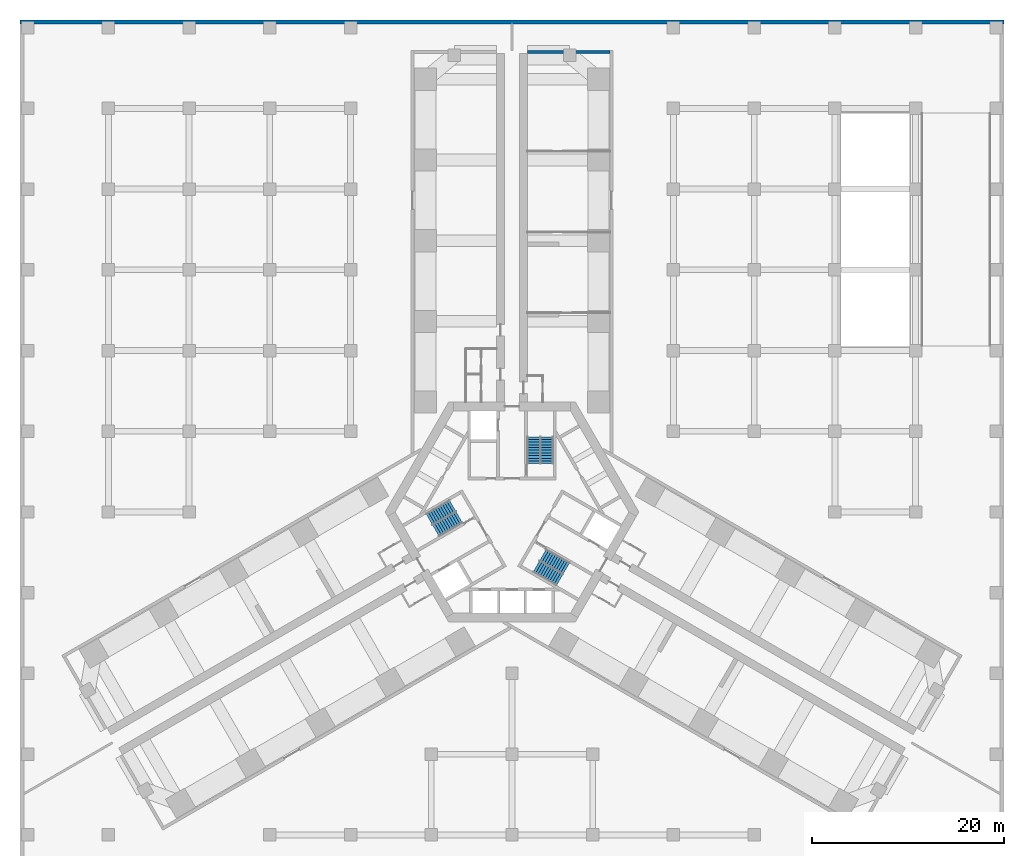
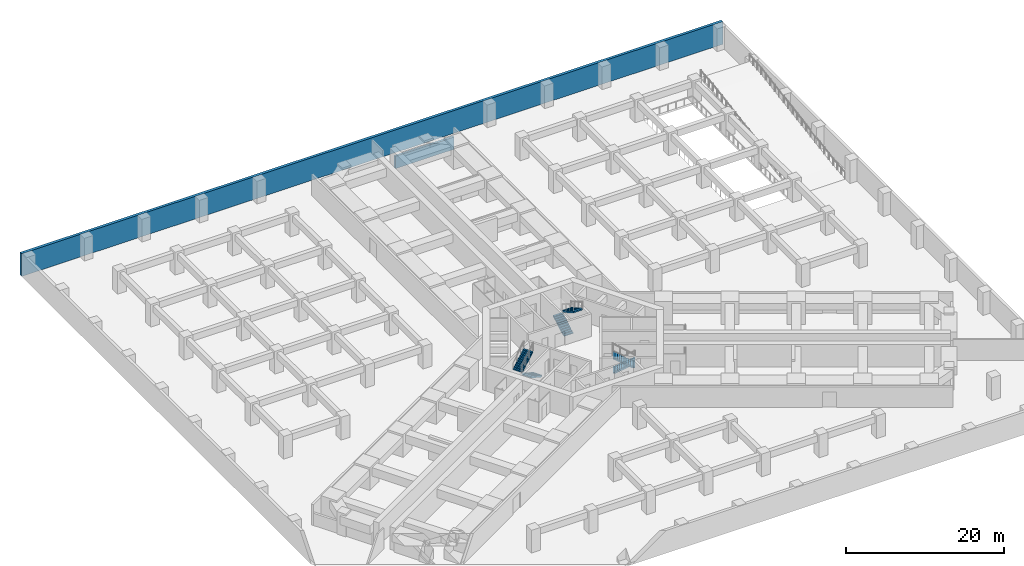
# One storey, part 10 of 11: 6 stair flights, 2 walls, 3 elements without a shape of their own.
"""IFC4 building model written with IfcOpenShell, lengths in metres."""

from ifc_helpers import new_model, si_unit, direction, frame, frame_2d, origin, place, context, subcontext, project, spatial, polyline, rectangle, outline, extrude, material, layer, layer_set, type_object, element, aggregate, save


model = new_model("IFC4")

# Units and contexts
model_context = context("Model", 3, precision=1e-05, world=origin(), true_north=direction((0.0, 1.0)))
body_context = subcontext(model_context, "Body", "Model", "MODEL_VIEW")
ifc_project = project(units=[si_unit("LENGTHUNIT", "METRE"), si_unit("AREAUNIT", "SQUARE_METRE"), si_unit("VOLUMEUNIT", "CUBIC_METRE"), si_unit("PLANEANGLEUNIT", "RADIAN"), si_unit("MASSUNIT", "GRAM", prefix="KILO")], contexts=[model_context])

# Site, building, storey
site_placement = place(None, origin())
site = spatial("IfcSite", under=ifc_project, at=site_placement, CompositionType="ELEMENT")
building_placement = place(site_placement, origin())
building = spatial("IfcBuilding", under=site, at=building_placement, Name="Impinga Residences", CompositionType="ELEMENT")
storey_placement = place(building_placement, frame((0.0, 0.0, -7.0)))
storey = spatial("IfcBuildingStorey", under=building, at=storey_placement, Name="B2", CompositionType="ELEMENT", Elevation=-7.0)

# Walls
ifc_material_1 = material(Name="Concrete blockwork", Category="masonry")
ifc_layer_1 = layer(ifc_material_1, 0.300048828125)
ifc_layer_set_1 = layer_set([ifc_layer_1], Name="PW3 podium wall on the wing face 300")
wall_type_1 = type_object("IfcWallType", Name="PW3 podium wall on the wing face 300", PredefinedType="SOLIDWALL", material=ifc_layer_set_1)
wall_1_placement = place(storey_placement, frame((1.60009765625, 47.881591796875, 0.0), z_axis=(0.0, 0.0, 1.0), x_axis=(1.0, 0.0, 0.0)))
element("IfcWall", 1, at=wall_1_placement, inside=storey, type_object=wall_type_1, Name="Podium wall on the wing face B2:END:NF", PredefinedType="SOLIDWALL", context=body_context, shape_type="SweptSolid", body=[
    extrude(rectangle(XDim=8.599853515625, YDim=0.300048828125, at=frame_2d((4.2998046875, 0.0))), origin(), (0.0, 0.0, 1.0), 1.89990234375),
])
ifc_material_2 = material(Name="Concrete C60/75", Category="concrete")
ifc_layer_2 = layer(ifc_material_2, 0.39990234375)
ifc_layer_set_2 = layer_set([ifc_layer_2], Name="Concrete C60/75")
wall_type_2 = type_object("IfcWallType", Name="RW1 basement retaining wall 400", PredefinedType="USERDEFINED", material=ifc_layer_set_2)
wall_2_placement = place(storey_placement, frame((-51.199951171875, 51.0, 0.0), z_axis=(0.0, 0.0, 1.0), x_axis=(1.0, 0.0, 0.0)))
element("IfcWall", 2, at=wall_2_placement, inside=storey, type_object=wall_type_2, Name="Retaining wall RW1 N B2", ObjectType="RETAINING WALL", PredefinedType="USERDEFINED", context=body_context, shape_type="SweptSolid", body=[
    extrude(rectangle(XDim=102.39990234375, YDim=0.39990234375, at=frame_2d((51.199951171875, 0.0))), origin(), (0.0, 0.0, 1.0), 3.5),
])

# Stair, stair flights
ifc_material_3 = material(Name="Concrete C40/50", Category="concrete")
stair_type = type_object("IfcStairType", Name="STR core stair 3500 storey, 22 risers", PredefinedType="HALF_TURN_STAIR", material=ifc_material_3)
stair_1_placement = place(storey_placement, origin())
stair_1 = element("IfcStair", 3, at=stair_1_placement, inside=storey, type_object=stair_type, Name="Stair ST1 B2", PredefinedType="HALF_TURN_STAIR")
stair_flight_type = type_object("IfcStairFlightType", Name="SF 11 risers of 159", PredefinedType="STRAIGHT", material=ifc_material_3)
stair_flight_1_placement = place(storey_placement, frame((2.27490234375, 5.030029296875, 0.0), z_axis=(0.0, 0.0, 1.0), x_axis=(0.0, 1.0, 0.0)))
stair_flight_1 = element("IfcStairFlight", 4, at=stair_flight_1_placement, type_object=stair_flight_type, Name="ST1 flight 1", NumberOfRisers=11, NumberOfTreads=10, PredefinedType="STRAIGHT", RiserHeight=0.159090909, TreadLength=0.28, context=body_context, shape_type="SweptSolid", body=[
    extrude(outline(polyline([(0.0, 0.0), (0.0, 0.1591796875), (0.280029296875, 0.1591796875), (0.280029296875, 0.318115234375), (0.56005859375, 0.318115234375), (0.56005859375, 0.477294921875), (0.840087890625, 0.477294921875), (0.840087890625, 0.636474609375), (1.1201171875, 0.636474609375), (1.1201171875, 0.79541015625), (1.39990234375, 0.79541015625), (1.39990234375, 0.95458984375), (1.679931640625, 0.95458984375), (1.679931640625, 1.113525390625), (1.9599609375, 1.113525390625), (1.9599609375, 1.272705078125), (2.239990234375, 1.272705078125), (2.239990234375, 1.431884765625), (2.52001953125, 1.431884765625), (2.52001953125, 1.5908203125), (2.800048828125, 1.5908203125), (2.800048828125, 1.75), (2.800048828125, 1.384033203125), (0.3642578125, 0.0), (0.0, 0.0)])), frame((0.0, 0.675048828125, 0.0), z_axis=(0.0, -1.0, 0.0), x_axis=(1.0, 0.0, 0.0)), (0.0, 0.0, 1.0), 1.35009765625),
])
stair_flight_2_placement = place(storey_placement, frame((3.625, 7.830078125, 1.75), z_axis=(0.0, 0.0, 1.0), x_axis=(0.0, -1.0, 0.0)))
stair_flight_2 = element("IfcStairFlight", 5, at=stair_flight_2_placement, type_object=stair_flight_type, Name="ST1 flight 2", NumberOfRisers=11, NumberOfTreads=10, PredefinedType="STRAIGHT", RiserHeight=0.159090909, TreadLength=0.28, context=body_context, shape_type="SweptSolid", body=[
    extrude(outline(polyline([(0.0, 0.0), (0.0, 0.1591796875), (0.280029296875, 0.1591796875), (0.280029296875, 0.318115234375), (0.56005859375, 0.318115234375), (0.56005859375, 0.477294921875), (0.840087890625, 0.477294921875), (0.840087890625, 0.636474609375), (1.1201171875, 0.636474609375), (1.1201171875, 0.79541015625), (1.39990234375, 0.79541015625), (1.39990234375, 0.95458984375), (1.679931640625, 0.95458984375), (1.679931640625, 1.113525390625), (1.9599609375, 1.113525390625), (1.9599609375, 1.272705078125), (2.239990234375, 1.272705078125), (2.239990234375, 1.431884765625), (2.52001953125, 1.431884765625), (2.52001953125, 1.5908203125), (2.800048828125, 1.5908203125), (2.800048828125, 1.75), (2.800048828125, 1.384033203125), (0.3642578125, 0.0), (0.0, 0.0)])), frame((0.0, 0.675048828125, 0.0), z_axis=(0.0, -1.0, 0.0), x_axis=(1.0, 0.0, 0.0)), (0.0, 0.0, 1.0), 1.35009765625),
])
aggregate(stair_1, [stair_flight_1, stair_flight_2])

stair_2_placement = place(storey_placement, origin())
stair_2 = element("IfcStair", 6, at=stair_2_placement, inside=storey, type_object=stair_type, Name="Stair ST2 B2", PredefinedType="HALF_TURN_STAIR")
stair_flight_3_placement = place(storey_placement, frame((-5.49365234375, -0.544677734375, 0.0), z_axis=(0.0, 0.0, 1.0), x_axis=(-0.866025403784, -0.5, 0.0)))
stair_flight_3 = element("IfcStairFlight", 7, at=stair_flight_3_placement, type_object=stair_flight_type, Name="ST2 flight 1", NumberOfRisers=11, NumberOfTreads=10, PredefinedType="STRAIGHT", RiserHeight=0.159090909, TreadLength=0.28, context=body_context, shape_type="SweptSolid", body=[
    extrude(outline(polyline([(0.0, 0.0), (0.0, 0.1591796875), (0.280029296875, 0.1591796875), (0.280029296875, 0.318115234375), (0.56005859375, 0.318115234375), (0.56005859375, 0.477294921875), (0.840087890625, 0.477294921875), (0.840087890625, 0.636474609375), (1.1201171875, 0.636474609375), (1.1201171875, 0.79541015625), (1.39990234375, 0.79541015625), (1.39990234375, 0.95458984375), (1.679931640625, 0.95458984375), (1.679931640625, 1.113525390625), (1.9599609375, 1.113525390625), (1.9599609375, 1.272705078125), (2.239990234375, 1.272705078125), (2.239990234375, 1.431884765625), (2.52001953125, 1.431884765625), (2.52001953125, 1.5908203125), (2.800048828125, 1.5908203125), (2.800048828125, 1.75), (2.800048828125, 1.384033203125), (0.3642578125, 0.0), (0.0, 0.0)])), frame((0.0, 0.675048828125, 0.0), z_axis=(0.0, -1.0, 0.0), x_axis=(1.0, 0.0, 0.0)), (0.0, 0.0, 1.0), 1.35009765625),
])
stair_flight_4_placement = place(storey_placement, frame((-8.593505859375, -0.775634765625, 1.75), z_axis=(0.0, 0.0, 1.0), x_axis=(0.866025403784, 0.5, 0.0)))
stair_flight_4 = element("IfcStairFlight", 8, at=stair_flight_4_placement, type_object=stair_flight_type, Name="ST2 flight 2", NumberOfRisers=11, NumberOfTreads=10, PredefinedType="STRAIGHT", RiserHeight=0.159090909, TreadLength=0.28, context=body_context, shape_type="SweptSolid", body=[
    extrude(outline(polyline([(0.0, 0.0), (0.0, 0.1591796875), (0.280029296875, 0.1591796875), (0.280029296875, 0.318115234375), (0.56005859375, 0.318115234375), (0.56005859375, 0.477294921875), (0.840087890625, 0.477294921875), (0.840087890625, 0.636474609375), (1.1201171875, 0.636474609375), (1.1201171875, 0.79541015625), (1.39990234375, 0.79541015625), (1.39990234375, 0.95458984375), (1.679931640625, 0.95458984375), (1.679931640625, 1.113525390625), (1.9599609375, 1.113525390625), (1.9599609375, 1.272705078125), (2.239990234375, 1.272705078125), (2.239990234375, 1.431884765625), (2.52001953125, 1.431884765625), (2.52001953125, 1.5908203125), (2.800048828125, 1.5908203125), (2.800048828125, 1.75), (2.800048828125, 1.384033203125), (0.3642578125, 0.0), (0.0, 0.0)])), frame((0.0, 0.675048828125, 0.0), z_axis=(0.0, -1.0, 0.0), x_axis=(1.0, 0.0, 0.0)), (0.0, 0.0, 1.0), 1.35009765625),
])
aggregate(stair_2, [stair_flight_3, stair_flight_4])

stair_3_placement = place(storey_placement, origin())
stair_3 = element("IfcStair", 9, at=stair_3_placement, inside=storey, type_object=stair_type, Name="Stair ST3 B2", PredefinedType="HALF_TURN_STAIR")
stair_flight_5_placement = place(storey_placement, frame((3.218505859375, -4.485107421875, 0.0), z_axis=(0.0, 0.0, 1.0), x_axis=(0.866025403784, -0.5, 0.0)))
stair_flight_5 = element("IfcStairFlight", 10, at=stair_flight_5_placement, type_object=stair_flight_type, Name="ST3 flight 1", NumberOfRisers=11, NumberOfTreads=10, PredefinedType="STRAIGHT", RiserHeight=0.159090909, TreadLength=0.28, context=body_context, shape_type="SweptSolid", body=[
    extrude(outline(polyline([(0.0, 0.0), (0.0, 0.1591796875), (0.280029296875, 0.1591796875), (0.280029296875, 0.318115234375), (0.56005859375, 0.318115234375), (0.56005859375, 0.477294921875), (0.840087890625, 0.477294921875), (0.840087890625, 0.636474609375), (1.1201171875, 0.636474609375), (1.1201171875, 0.79541015625), (1.39990234375, 0.79541015625), (1.39990234375, 0.95458984375), (1.679931640625, 0.95458984375), (1.679931640625, 1.113525390625), (1.9599609375, 1.113525390625), (1.9599609375, 1.272705078125), (2.239990234375, 1.272705078125), (2.239990234375, 1.431884765625), (2.52001953125, 1.431884765625), (2.52001953125, 1.5908203125), (2.800048828125, 1.5908203125), (2.800048828125, 1.75), (2.800048828125, 1.384033203125), (0.3642578125, 0.0), (0.0, 0.0)])), frame((0.0, 0.675048828125, 0.0), z_axis=(0.0, -1.0, 0.0), x_axis=(1.0, 0.0, 0.0)), (0.0, 0.0, 1.0), 1.35009765625),
])
stair_flight_6_placement = place(storey_placement, frame((4.968505859375, -7.054443359375, 1.75), z_axis=(0.0, 0.0, 1.0), x_axis=(-0.866025403784, 0.5, 0.0)))
stair_flight_6 = element("IfcStairFlight", 11, at=stair_flight_6_placement, type_object=stair_flight_type, Name="ST3 flight 2", NumberOfRisers=11, NumberOfTreads=10, PredefinedType="STRAIGHT", RiserHeight=0.159090909, TreadLength=0.28, context=body_context, shape_type="SweptSolid", body=[
    extrude(outline(polyline([(0.0, 0.0), (0.0, 0.1591796875), (0.280029296875, 0.1591796875), (0.280029296875, 0.318115234375), (0.56005859375, 0.318115234375), (0.56005859375, 0.477294921875), (0.840087890625, 0.477294921875), (0.840087890625, 0.636474609375), (1.1201171875, 0.636474609375), (1.1201171875, 0.79541015625), (1.39990234375, 0.79541015625), (1.39990234375, 0.95458984375), (1.679931640625, 0.95458984375), (1.679931640625, 1.113525390625), (1.9599609375, 1.113525390625), (1.9599609375, 1.272705078125), (2.239990234375, 1.272705078125), (2.239990234375, 1.431884765625), (2.52001953125, 1.431884765625), (2.52001953125, 1.5908203125), (2.800048828125, 1.5908203125), (2.800048828125, 1.75), (2.800048828125, 1.384033203125), (0.3642578125, 0.0), (0.0, 0.0)])), frame((0.0, 0.675048828125, 0.0), z_axis=(0.0, -1.0, 0.0), x_axis=(1.0, 0.0, 0.0)), (0.0, 0.0, 1.0), 1.35009765625),
])
aggregate(stair_3, [stair_flight_5, stair_flight_6])

save(model, "model.ifc")
